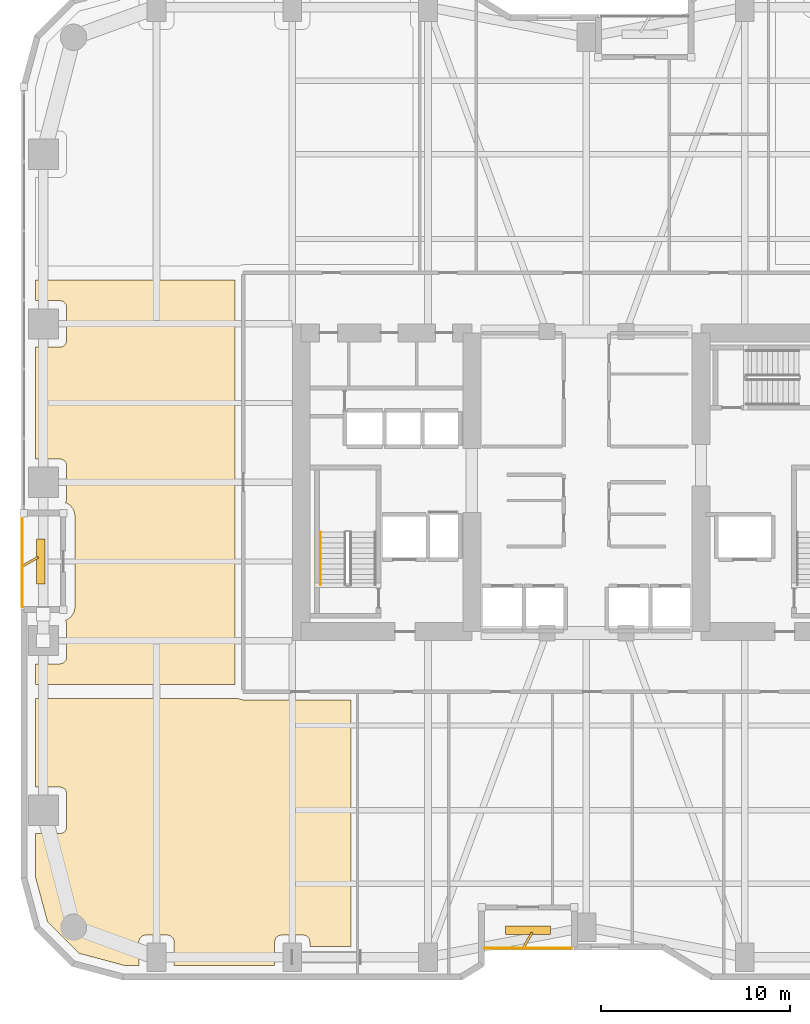
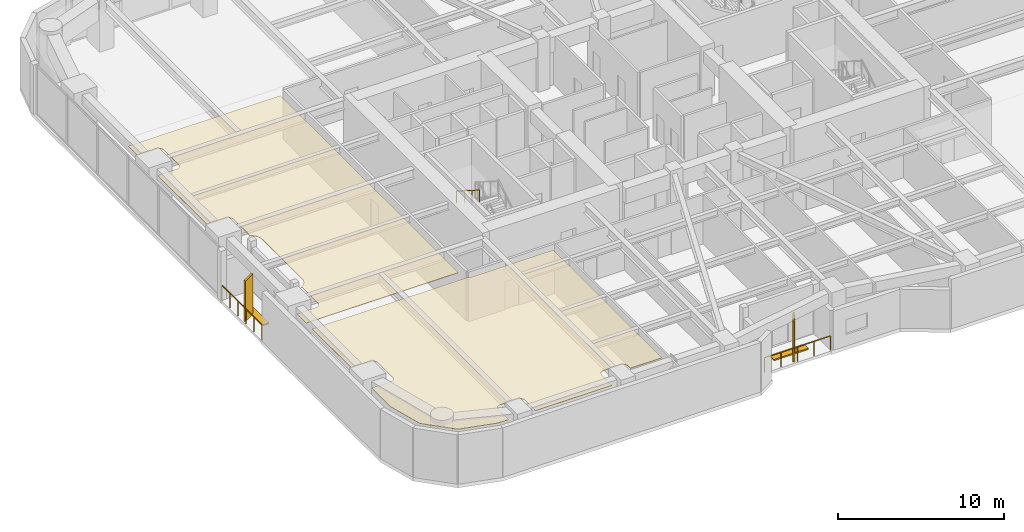
# One storey, part 26 of 29: 4 shading devices, 3 railings, 2 coverings.
"""IFC4 building model written with IfcOpenShell, lengths in metres."""

from ifc_helpers import new_model, si_unit, direction, frame, origin, origin_2d, place, context, subcontext, project, spatial, polyline, rectangle, outline, extrude, material, layer, layer_set, type_object, element, save


model = new_model("IFC4")

# Units and contexts
model_context = context("Model", 3, precision=1e-05, world=origin(), true_north=direction((0.0, 1.0)))
body_context = subcontext(model_context, "Body", "Model", "MODEL_VIEW")
ifc_project = project(units=[si_unit("LENGTHUNIT", "METRE"), si_unit("AREAUNIT", "SQUARE_METRE"), si_unit("VOLUMEUNIT", "CUBIC_METRE"), si_unit("PLANEANGLEUNIT", "RADIAN"), si_unit("MASSUNIT", "GRAM", prefix="KILO")], contexts=[model_context])

# Site, building, storey
site_placement = place(None, origin())
site = spatial("IfcSite", under=ifc_project, at=site_placement, CompositionType="ELEMENT")
building_placement = place(site_placement, origin())
building = spatial("IfcBuilding", under=site, at=building_placement, Name="Kiyonajd Concourse Tower", CompositionType="ELEMENT")
storey_placement = place(building_placement, frame((0.0, 0.0, 45.0)))
storey = spatial("IfcBuildingStorey", under=building, at=storey_placement, Name="L12", CompositionType="ELEMENT", Elevation=45.0)

# Coverings
ifc_material_1 = material(Name="Natural Oak Acoustic Timber Veneer", Category="wood")
ifc_layer = layer(ifc_material_1, 0.0400390625)
ifc_layer_set = layer_set([ifc_layer], Name="Natural Oak Acoustic Timber Veneer")
covering_type = type_object("IfcCoveringType", Name="CV-CLG-ACST", PredefinedType="CEILING", material=ifc_layer_set)
covering_1_placement = place(storey_placement, frame((0.0, 0.0, 3.4599609375)))
element("IfcCovering", 1, at=covering_1_placement, inside=storey, type_object=covering_type, Name="L12-39 Room Acoustic Ceiling", PredefinedType="CEILING", context=body_context, shape_type="SweptSolid", body=[
    extrude(outline(polyline([(19.4140625, 12.697998046875), (18.77001953125, 15.10107421875), (18.77001953125, 17.3701171875), (20.114013671875, 17.3720703125), (20.181884765625, 17.385009765625), (20.2451171875, 17.410888671875), (20.302001953125, 17.448974609375), (20.35107421875, 17.498046875), (20.388916015625, 17.554931640625), (20.4150390625, 17.617919921875), (20.429931640625, 17.719970703125), (20.427978515625, 19.513916015625), (20.403076171875, 19.614013671875), (20.35107421875, 19.701904296875), (20.302001953125, 19.7509765625), (20.2451171875, 19.7890625), (20.14794921875, 19.822998046875), (20.080078125, 19.830078125), (18.77001953125, 19.830078125), (18.77001953125, 24.5400390625), (29.552001953125, 24.5400390625), (29.60693359375, 24.506103515625), (29.669921875, 24.47998046875), (29.800048828125, 24.4599609375), (35.510009765625, 24.4599609375), (35.510009765625, 11.3701171875), (33.330078125, 11.3701171875), (33.327880859375, 11.6640625), (33.302978515625, 11.763916015625), (33.27099609375, 11.823974609375), (33.22705078125, 11.876953125), (33.174072265625, 11.9208984375), (33.114013671875, 11.952880859375), (33.048095703125, 11.972900390625), (32.97998046875, 11.97998046875), (31.785888671875, 11.97802734375), (31.68603515625, 11.952880859375), (31.597900390625, 11.90087890625), (31.549072265625, 11.85205078125), (31.510986328125, 11.794921875), (31.47705078125, 11.697998046875), (31.469970703125, 11.6298828125), (31.469970703125, 10.3701171875), (26.1298828125, 10.3701171875), (26.1279296875, 11.6640625), (26.114990234375, 11.73193359375), (26.089111328125, 11.794921875), (26.027099609375, 11.876953125), (25.945068359375, 11.93896484375), (25.882080078125, 11.965087890625), (25.81396484375, 11.97802734375), (24.5859375, 11.97802734375), (24.486083984375, 11.952880859375), (24.39794921875, 11.90087890625), (24.34912109375, 11.85205078125), (24.31103515625, 11.794921875), (24.277099609375, 11.697998046875), (24.27001953125, 11.6298828125), (24.27001953125, 10.3701171875), (23.5009765625, 10.3701171875), (21.097900390625, 11.013916015625), (19.4140625, 12.697998046875)])), origin(), (0.0, 0.0, 1.0), 0.0400390625),
])
covering_2_placement = place(storey_placement, frame((0.0, 0.0, 3.4599609375)))
element("IfcCovering", 2, at=covering_2_placement, inside=storey, type_object=covering_type, Name="L12-52 Room Acoustic Ceiling", PredefinedType="CEILING", context=body_context, shape_type="SweptSolid", body=[
    extrude(outline(polyline([(20.367919921875, 28.678955078125), (20.450927734375, 28.715087890625), (20.580078125, 28.798095703125), (20.656982421875, 28.867919921875), (20.7080078125, 28.927978515625), (20.757080078125, 29.0), (20.80810546875, 29.095947265625), (20.842041015625, 29.193115234375), (20.864013671875, 29.30810546875), (20.8701171875, 34.199951171875), (20.860107421875, 34.31591796875), (20.842041015625, 34.406982421875), (20.80810546875, 34.50390625), (20.757080078125, 34.60009765625), (20.68505859375, 34.700927734375), (20.60107421875, 34.784912109375), (20.5390625, 34.83203125), (20.367919921875, 34.9208984375), (20.4150390625, 35.01806640625), (20.429931640625, 35.1201171875), (20.429931640625, 36.8798828125), (20.4150390625, 36.98193359375), (20.37109375, 37.073974609375), (20.302001953125, 37.15087890625), (20.2451171875, 37.18896484375), (20.181884765625, 37.215087890625), (20.114013671875, 37.22802734375), (18.77001953125, 37.22998046875), (18.77001953125, 43.169921875), (20.114013671875, 43.172119140625), (20.181884765625, 43.18505859375), (20.2451171875, 43.2109375), (20.302001953125, 43.2490234375), (20.35107421875, 43.298095703125), (20.388916015625, 43.35498046875), (20.4150390625, 43.41796875), (20.429931640625, 43.52001953125), (20.427978515625, 45.31396484375), (20.403076171875, 45.4140625), (20.35107421875, 45.501953125), (20.302001953125, 45.551025390625), (20.2451171875, 45.589111328125), (20.14794921875, 45.623046875), (20.080078125, 45.6298828125), (18.77001953125, 45.6298828125), (18.77001953125, 46.739990234375), (29.3701171875, 46.739990234375), (29.3701171875, 25.260009765625), (18.77001953125, 25.260009765625), (18.77001953125, 26.3701171875), (20.114013671875, 26.3720703125), (20.214111328125, 26.39697265625), (20.302001953125, 26.448974609375), (20.35107421875, 26.498046875), (20.403076171875, 26.5859375), (20.423095703125, 26.652099609375), (20.429931640625, 26.719970703125), (20.429931640625, 28.47998046875), (20.4150390625, 28.58203125), (20.367919921875, 28.678955078125)])), origin(), (0.0, 0.0, 1.0), 0.0400390625),
])

# Railings
ifc_material_2 = material(Name="Thermally Broken Anodised Aluminium", Category="aluminium")
railing_type_1 = type_object("IfcRailingType", Name="RL-GRD-LOG", PredefinedType="GUARDRAIL", material=ifc_material_2)
railing_1_placement = place(storey_placement, frame((42.60009765625, 11.280029296875, 0.0)))
element("IfcRailing", 3, at=railing_1_placement, inside=storey, type_object=railing_type_1, Name="L12 Engawa Loggia Perimeter Guard LOG-S", PredefinedType="GUARDRAIL", context=body_context, shape_type="SweptSolid", body=[
    extrude(rectangle(XDim=0.048095703125, YDim=0.048095703125, at=origin_2d()), frame((0.0, 0.0, 1.076171875), z_axis=(1.0, 0.0, 0.0), x_axis=(0.0, 1.0, 0.0)), (0.0, 0.0, 1.0), 4.599853515625),
    extrude(rectangle(XDim=0.0419921875, YDim=0.0419921875, at=origin_2d()), origin(), (0.0, 0.0, 1.0), 1.052001953125),
    extrude(rectangle(XDim=0.0419921875, YDim=0.0419921875, at=origin_2d()), frame((1.14990234375, 0.0, 0.0)), (0.0, 0.0, 1.0), 1.052001953125),
    extrude(rectangle(XDim=0.0419921875, YDim=0.0419921875, at=origin_2d()), frame((2.2998046875, 0.0, 0.0)), (0.0, 0.0, 1.0), 1.052001953125),
    extrude(rectangle(XDim=0.0419921875, YDim=0.0419921875, at=origin_2d()), frame((3.449951171875, 0.0, 0.0)), (0.0, 0.0, 1.0), 1.052001953125),
    extrude(rectangle(XDim=0.0419921875, YDim=0.0419921875, at=origin_2d()), frame((4.599853515625, 0.0, 0.0)), (0.0, 0.0, 1.0), 1.052001953125),
])
railing_2_placement = place(storey_placement, frame((18.080078125, 34.199951171875, 0.0)))
element("IfcRailing", 4, at=railing_2_placement, inside=storey, type_object=railing_type_1, Name="L12 Engawa Loggia Perimeter Guard LOG-W", PredefinedType="GUARDRAIL", context=body_context, shape_type="SweptSolid", body=[
    extrude(rectangle(XDim=0.048095703125, YDim=0.048095703125, at=origin_2d()), frame((0.0, 0.0, 1.076171875), z_axis=(0.0, -1.0, 0.0), x_axis=(1.0, 0.0, 0.0)), (0.0, 0.0, 1.0), 4.800048828125),
    extrude(rectangle(XDim=0.0419921875, YDim=0.0419921875, at=origin_2d()), origin(), (0.0, 0.0, 1.0), 1.052001953125),
    extrude(rectangle(XDim=0.0419921875, YDim=0.0419921875, at=origin_2d()), frame((0.0, -0.9599609375, 0.0)), (0.0, 0.0, 1.0), 1.052001953125),
    extrude(rectangle(XDim=0.0419921875, YDim=0.0419921875, at=origin_2d()), frame((0.0, -1.919921875, 0.0)), (0.0, 0.0, 1.0), 1.052001953125),
    extrude(rectangle(XDim=0.0419921875, YDim=0.0419921875, at=origin_2d()), frame((0.0, -2.880126953125, 0.0)), (0.0, 0.0, 1.0), 1.052001953125),
    extrude(rectangle(XDim=0.0419921875, YDim=0.0419921875, at=origin_2d()), frame((0.0, -3.840087890625, 0.0)), (0.0, 0.0, 1.0), 1.052001953125),
    extrude(rectangle(XDim=0.0419921875, YDim=0.0419921875, at=origin_2d()), frame((0.0, -4.800048828125, 0.0)), (0.0, 0.0, 1.0), 1.052001953125),
])
ifc_material_3 = material(Name="Brushed Stainless Steel Cab Assembly", Category="steel")
railing_type_2 = type_object("IfcRailingType", Name="RL-HND-900", PredefinedType="HANDRAIL", material=ifc_material_3)
railing_3_placement = place(storey_placement, frame((33.89990234375, 33.35009765625, 2.127197265625)))
element("IfcRailing", 5, at=railing_3_placement, inside=storey, type_object=railing_type_2, Name="L12 ST1 stair handrail 2", PredefinedType="HANDRAIL", context=body_context, shape_type="SweptSolid", body=[
    extrude(rectangle(XDim=0.048095703125, YDim=0.048095703125, at=origin_2d()), frame((0.0, 0.0, 0.8759765625), z_axis=(0.0, -0.844908973607, 0.534910110503), x_axis=(1.0, 0.0, 0.0)), (0.0, 0.0, 1.0), 3.31396484375),
    extrude(rectangle(XDim=0.0419921875, YDim=0.0419921875, at=origin_2d()), origin(), (0.0, 0.0, 1.0), 0.851806640625),
    extrude(rectangle(XDim=0.0419921875, YDim=0.0419921875, at=origin_2d()), frame((0.0, -0.933349609375, 0.5908203125)), (0.0, 0.0, 1.0), 0.851806640625),
    extrude(rectangle(XDim=0.0419921875, YDim=0.0419921875, at=origin_2d()), frame((0.0, -1.86669921875, 1.181884765625)), (0.0, 0.0, 1.0), 0.851806640625),
    extrude(rectangle(XDim=0.0419921875, YDim=0.0419921875, at=origin_2d()), frame((0.0, -2.800048828125, 1.772705078125)), (0.0, 0.0, 1.0), 0.851806640625),
])

# Shading devices
ifc_material_4 = material(Name="Precast concrete C50/60", Category="concrete")
shading_device_type_1 = type_object("IfcShadingDeviceType", Name="SH-FIN-900", PredefinedType="USERDEFINED", material=ifc_material_4)
for number, where, z_axis, x_axis, name in (
    (6, (44.89990234375, 11.72998046875, 0.0), (0.0, 0.0, 1.0), (0.5, 0.866025403784, 0.0), "L12 Angled Koshi Solar Fin LOG-S"),
    (7, (18.530029296875, 31.800048828125, 0.0), (0.0, 0.0, 1.0), (0.866025403784, 0.5, 0.0), "L12 Angled Koshi Solar Fin LOG-W"),
):
    element("IfcShadingDevice", number, at=place(storey_placement, frame(where, z_axis=z_axis, x_axis=x_axis)), inside=storey, type_object=shading_device_type_1, Name=name, ObjectType="FIN", PredefinedType="USERDEFINED", context=body_context, shape_type="SweptSolid", body=[
        extrude(rectangle(XDim=0.89990234375, YDim=0.1201171875, at=origin_2d()), origin(), (0.0, 0.0, 1.0), 3.0),
    ])
shading_device_type_2 = type_object("IfcShadingDeviceType", Name="SH-LVR-600", PredefinedType="JALOUSIE", material=ifc_material_2)
for number, where, z_axis, x_axis, name in (
    (8, (44.89990234375, 12.25, 0.0), (0.0, 0.0, 1.0), (1.0, 0.0, 0.0), "L12 Loggia Threshold Louver LOG-S"),
    (9, (19.050048828125, 31.800048828125, 0.0), (0.0, 0.0, 1.0), (0.0, 1.0, 0.0), "L12 Loggia Threshold Louver LOG-W"),
):
    element("IfcShadingDevice", number, at=place(storey_placement, frame(where, z_axis=z_axis, x_axis=x_axis)), inside=storey, type_object=shading_device_type_2, Name=name, PredefinedType="JALOUSIE", context=body_context, shape_type="SweptSolid", body=[
        extrude(rectangle(XDim=2.39990234375, YDim=0.449951171875, at=origin_2d()), origin(), (0.0, 0.0, 1.0), 0.10009765625),
    ])

save(model, "model.ifc")
